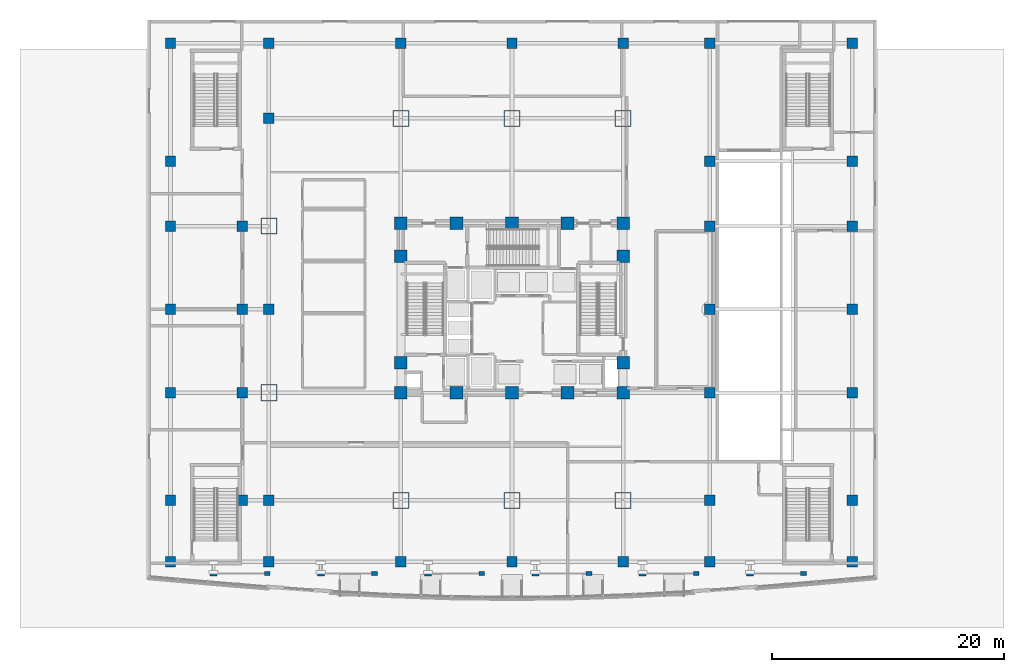
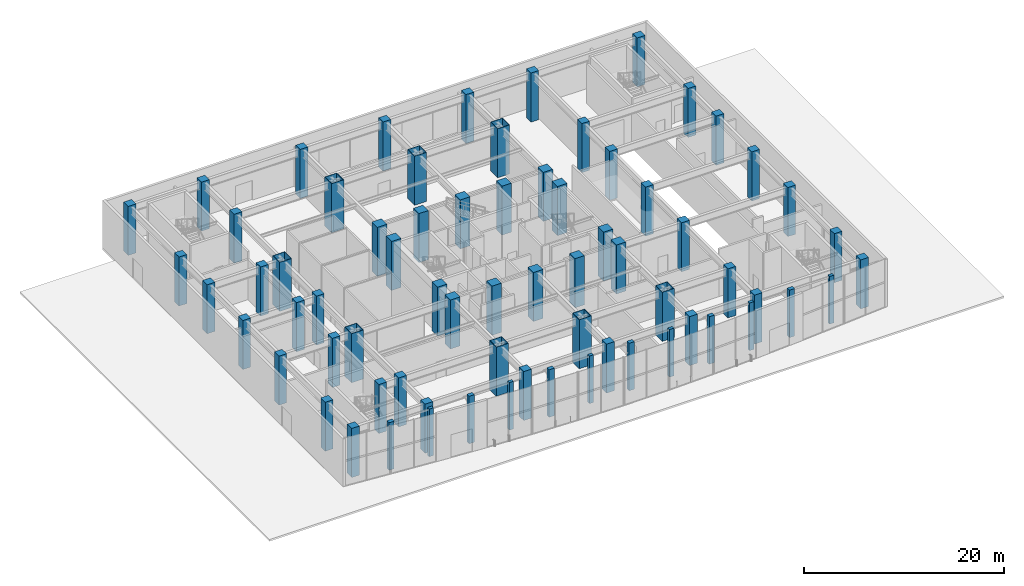
# One storey, part 1 of 23: 70 columns.
"""IFC4 building model written with IfcOpenShell, lengths in metres."""

from ifc_helpers import new_model, si_unit, direction, frame, origin, origin_2d, place, context, subcontext, project, spatial, rectangle, hollow_rectangle, extrude, material, material_profile, profile_set, type_object, element, save


model = new_model("IFC4")

# Units and contexts
model_context = context("Model", 3, precision=1e-05, world=origin(), true_north=direction((0.0, 1.0)))
body_context = subcontext(model_context, "Body", "Model", "MODEL_VIEW")
ifc_project = project(units=[si_unit("LENGTHUNIT", "METRE"), si_unit("AREAUNIT", "SQUARE_METRE"), si_unit("VOLUMEUNIT", "CUBIC_METRE"), si_unit("PLANEANGLEUNIT", "RADIAN"), si_unit("MASSUNIT", "GRAM", prefix="KILO")], contexts=[model_context])

# Site, building, storey
site_placement = place(None, origin())
site = spatial("IfcSite", under=ifc_project, at=site_placement, CompositionType="ELEMENT")
building_placement = place(site_placement, origin())
building = spatial("IfcBuilding", under=site, at=building_placement, Name="Vantalir Tower", CompositionType="ELEMENT")
storey_placement = place(building_placement, origin())
storey = spatial("IfcBuildingStorey", under=building, at=storey_placement, Name="L00", CompositionType="ELEMENT", Elevation=0.0)

# Columns
ifc_material_1 = material(Name="Concrete C60/75", Category="concrete")
ifc_material_profile_1 = material_profile(ifc_material_1, rectangle(XDim=1.10009765625, YDim=1.10009765625, at=origin_2d()), Name="Concrete C60/75")
ifc_profile_set_1 = profile_set([ifc_material_profile_1], Name="Concrete C60/75")
column_type_1 = type_object("IfcColumnType", Name="COL-CC-1100", PredefinedType="COLUMN", material=ifc_profile_set_1)
for number, where, z_axis, x_axis, name in (
    (1, (21.89990234375, 17.800048828125, 0.0), (0.0, 0.0, 1.0), (1.0, 0.0, 0.0), "L00 Core Column CC01"),
    (2, (26.699951171875, 17.800048828125, 0.0), (0.0, 0.0, 1.0), (1.0, 0.0, 0.0), "L00 Core Column CC02"),
    (3, (31.5, 17.800048828125, 0.0), (0.0, 0.0, 1.0), (1.0, 0.0, 0.0), "L00 Core Column CC03"),
    (4, (36.300048828125, 17.800048828125, 0.0), (0.0, 0.0, 1.0), (1.0, 0.0, 0.0), "L00 Core Column CC04"),
    (5, (41.10009765625, 17.800048828125, 0.0), (0.0, 0.0, 1.0), (1.0, 0.0, 0.0), "L00 Core Column CC05"),
    (6, (21.89990234375, 20.39990234375, 0.0), (0.0, 0.0, 1.0), (1.0, 0.0, 0.0), "L00 Core Column CC06"),
    (7, (21.89990234375, 29.60009765625, 0.0), (0.0, 0.0, 1.0), (1.0, 0.0, 0.0), "L00 Core Column CC07"),
    (8, (41.10009765625, 20.39990234375, 0.0), (0.0, 0.0, 1.0), (1.0, 0.0, 0.0), "L00 Core Column CC08"),
    (9, (41.10009765625, 29.60009765625, 0.0), (0.0, 0.0, 1.0), (1.0, 0.0, 0.0), "L00 Core Column CC09"),
    (10, (21.89990234375, 32.449951171875, 0.0), (0.0, 0.0, 1.0), (1.0, 0.0, 0.0), "L00 Core Column CC10"),
    (11, (26.699951171875, 32.449951171875, 0.0), (0.0, 0.0, 1.0), (1.0, 0.0, 0.0), "L00 Core Column CC11"),
    (12, (31.5, 32.449951171875, 0.0), (0.0, 0.0, 1.0), (1.0, 0.0, 0.0), "L00 Core Column CC12"),
    (13, (36.300048828125, 32.449951171875, 0.0), (0.0, 0.0, 1.0), (1.0, 0.0, 0.0), "L00 Core Column CC13"),
    (14, (41.10009765625, 32.449951171875, 0.0), (0.0, 0.0, 1.0), (1.0, 0.0, 0.0), "L00 Core Column CC14"),
):
    element("IfcColumn", number, at=place(storey_placement, frame(where, z_axis=z_axis, x_axis=x_axis)), inside=storey, type_object=column_type_1, Name=name, PredefinedType="COLUMN", context=body_context, shape_type="SweptSolid", body=[
        extrude(rectangle(XDim=1.10009765625, YDim=1.10009765625, at=origin_2d()), origin(), (0.0, 0.0, 1.0), 6.0),
    ])
ifc_material_2 = material(Name="Steel S460", Category="steel")
ifc_material_profile_2 = material_profile(ifc_material_2, hollow_rectangle(XDim=1.39990234375, YDim=1.39990234375, WallThickness=0.050048828125, at=origin_2d()), Name="Steel S460")
ifc_profile_set_2 = profile_set([ifc_material_profile_2], Name="Steel S460")
column_type_2 = type_object("IfcColumnType", Name="COL-MC-1400", PredefinedType="COLUMN", material=ifc_profile_set_2)
for number, where, z_axis, x_axis, name in (
    (15, (21.89990234375, 8.5, 0.0), (0.0, 0.0, 1.0), (1.0, 0.0, 0.0), "L00 S460 Mega-Column MC01"),
    (16, (31.5, 8.5, 0.0), (0.0, 0.0, 1.0), (1.0, 0.0, 0.0), "L00 S460 Mega-Column MC02"),
    (17, (41.10009765625, 8.5, 0.0), (0.0, 0.0, 1.0), (1.0, 0.0, 0.0), "L00 S460 Mega-Column MC03"),
    (18, (10.5, 17.800048828125, 0.0), (0.0, 0.0, 1.0), (1.0, 0.0, 0.0), "L00 S460 Mega-Column MC04"),
    (19, (10.5, 32.199951171875, 0.0), (0.0, 0.0, 1.0), (1.0, 0.0, 0.0), "L00 S460 Mega-Column MC05"),
    (20, (21.89990234375, 41.5, 0.0), (0.0, 0.0, 1.0), (1.0, 0.0, 0.0), "L00 S460 Mega-Column MC06"),
    (21, (31.5, 41.5, 0.0), (0.0, 0.0, 1.0), (1.0, 0.0, 0.0), "L00 S460 Mega-Column MC07"),
    (22, (41.10009765625, 41.5, 0.0), (0.0, 0.0, 1.0), (1.0, 0.0, 0.0), "L00 S460 Mega-Column MC08"),
):
    element("IfcColumn", number, at=place(storey_placement, frame(where, z_axis=z_axis, x_axis=x_axis)), inside=storey, type_object=column_type_2, Name=name, PredefinedType="COLUMN", context=body_context, shape_type="SweptSolid", body=[
        extrude(hollow_rectangle(XDim=1.39990234375, YDim=1.39990234375, WallThickness=0.050048828125, at=origin_2d()), origin(), (0.0, 0.0, 1.0), 6.0),
    ])
ifc_material_profile_3 = material_profile(ifc_material_1, rectangle(XDim=0.89990234375, YDim=0.89990234375, at=origin_2d()), Name="Concrete C60/75")
ifc_profile_set_3 = profile_set([ifc_material_profile_3], Name="Concrete C60/75")
column_type_3 = type_object("IfcColumnType", Name="COL-PC-900", PredefinedType="COLUMN", material=ifc_profile_set_3)
for number, where, z_axis, x_axis, name in (
    (23, (2.0, 3.199951171875, 0.0), (0.0, 0.0, 1.0), (1.0, 0.0, 0.0), "L00 Podium Column PC01"),
    (24, (8.199951171875, 8.5, 0.0), (0.0, 0.0, 1.0), (1.0, 0.0, 0.0), "L00 Podium Column PC02"),
    (25, (8.199951171875, 17.800048828125, 0.0), (0.0, 0.0, 1.0), (1.0, 0.0, 0.0), "L00 Podium Column PC03"),
    (26, (8.199951171875, 25.0, 0.0), (0.0, 0.0, 1.0), (1.0, 0.0, 0.0), "L00 Podium Column PC04"),
    (27, (8.199951171875, 32.199951171875, 0.0), (0.0, 0.0, 1.0), (1.0, 0.0, 0.0), "L00 Podium Column PC05"),
    (28, (2.0, 37.800048828125, 0.0), (0.0, 0.0, 1.0), (1.0, 0.0, 0.0), "L00 Podium Column PC06"),
    (29, (2.0, 48.0, 0.0), (0.0, 0.0, 1.0), (1.0, 0.0, 0.0), "L00 Podium Column PC07"),
    (30, (2.0, 8.5, 0.0), (0.0, 0.0, 1.0), (1.0, 0.0, 0.0), "L00 Podium Column PC08"),
    (31, (2.0, 17.800048828125, 0.0), (0.0, 0.0, 1.0), (1.0, 0.0, 0.0), "L00 Podium Column PC09"),
    (32, (2.0, 25.0, 0.0), (0.0, 0.0, 1.0), (1.0, 0.0, 0.0), "L00 Podium Column PC10"),
    (33, (2.0, 32.199951171875, 0.0), (0.0, 0.0, 1.0), (1.0, 0.0, 0.0), "L00 Podium Column PC11"),
    (34, (10.5, 3.199951171875, 0.0), (0.0, 0.0, 1.0), (1.0, 0.0, 0.0), "L00 Podium Column PC12"),
    (35, (10.5, 8.5, 0.0), (0.0, 0.0, 1.0), (1.0, 0.0, 0.0), "L00 Podium Column PC13"),
    (36, (10.5, 25.0, 0.0), (0.0, 0.0, 1.0), (1.0, 0.0, 0.0), "L00 Podium Column PC14"),
    (37, (10.5, 41.5, 0.0), (0.0, 0.0, 1.0), (1.0, 0.0, 0.0), "L00 Podium Column PC15"),
    (38, (10.5, 48.0, 0.0), (0.0, 0.0, 1.0), (1.0, 0.0, 0.0), "L00 Podium Column PC16"),
    (39, (21.89990234375, 3.199951171875, 0.0), (0.0, 0.0, 1.0), (1.0, 0.0, 0.0), "L00 Podium Column PC17"),
    (40, (31.5, 3.199951171875, 0.0), (0.0, 0.0, 1.0), (1.0, 0.0, 0.0), "L00 Podium Column PC18"),
    (41, (41.10009765625, 3.199951171875, 0.0), (0.0, 0.0, 1.0), (1.0, 0.0, 0.0), "L00 Podium Column PC19"),
    (42, (48.60009765625, 3.199951171875, 0.0), (0.0, 0.0, 1.0), (1.0, 0.0, 0.0), "L00 Podium Column PC20"),
    (43, (48.60009765625, 8.5, 0.0), (0.0, 0.0, 1.0), (1.0, 0.0, 0.0), "L00 Podium Column PC21"),
    (44, (21.89990234375, 48.0, 0.0), (0.0, 0.0, 1.0), (1.0, 0.0, 0.0), "L00 Podium Column PC22"),
    (45, (31.5, 48.0, 0.0), (0.0, 0.0, 1.0), (1.0, 0.0, 0.0), "L00 Podium Column PC23"),
    (46, (41.10009765625, 48.0, 0.0), (0.0, 0.0, 1.0), (1.0, 0.0, 0.0), "L00 Podium Column PC24"),
    (47, (48.60009765625, 48.0, 0.0), (0.0, 0.0, 1.0), (1.0, 0.0, 0.0), "L00 Podium Column PC25"),
    (48, (48.60009765625, 17.800048828125, 0.0), (0.0, 0.0, 1.0), (1.0, 0.0, 0.0), "L00 Podium Column PC26"),
    (49, (48.60009765625, 25.0, 0.0), (0.0, 0.0, 1.0), (1.0, 0.0, 0.0), "L00 Podium Column PC27"),
    (50, (48.60009765625, 32.199951171875, 0.0), (0.0, 0.0, 1.0), (1.0, 0.0, 0.0), "L00 Podium Column PC28"),
    (51, (48.60009765625, 37.800048828125, 0.0), (0.0, 0.0, 1.0), (1.0, 0.0, 0.0), "L00 Podium Column PC29"),
    (52, (60.89990234375, 3.199951171875, 0.0), (0.0, 0.0, 1.0), (1.0, 0.0, 0.0), "L00 Podium Column PC30"),
    (53, (60.89990234375, 8.5, 0.0), (0.0, 0.0, 1.0), (1.0, 0.0, 0.0), "L00 Podium Column PC31"),
    (54, (60.89990234375, 17.800048828125, 0.0), (0.0, 0.0, 1.0), (1.0, 0.0, 0.0), "L00 Podium Column PC32"),
    (55, (60.89990234375, 25.0, 0.0), (0.0, 0.0, 1.0), (1.0, 0.0, 0.0), "L00 Podium Column PC33"),
    (56, (60.89990234375, 32.199951171875, 0.0), (0.0, 0.0, 1.0), (1.0, 0.0, 0.0), "L00 Podium Column PC34"),
    (57, (60.89990234375, 37.800048828125, 0.0), (0.0, 0.0, 1.0), (1.0, 0.0, 0.0), "L00 Podium Column PC35"),
    (58, (60.89990234375, 48.0, 0.0), (0.0, 0.0, 1.0), (1.0, 0.0, 0.0), "L00 Podium Column PC36"),
):
    element("IfcColumn", number, at=place(storey_placement, frame(where, z_axis=z_axis, x_axis=x_axis)), inside=storey, type_object=column_type_3, Name=name, PredefinedType="COLUMN", context=body_context, shape_type="SweptSolid", body=[
        extrude(rectangle(XDim=0.89990234375, YDim=0.89990234375, at=origin_2d()), origin(), (0.0, 0.0, 1.0), 6.0),
    ])
ifc_material_3 = material(Name="Concrete C50/60", Category="concrete")
ifc_material_profile_4 = material_profile(ifc_material_3, rectangle(XDim=0.5, YDim=0.360107421875, at=origin_2d()), Name="Concrete C50/60")
ifc_profile_set_4 = profile_set([ifc_material_profile_4], Name="Concrete C50/60")
column_type_4 = type_object("IfcColumnType", Name="COL-PIL-500x360", PredefinedType="PILASTER", material=ifc_profile_set_4)
for number, where, z_axis, x_axis, name in (
    (59, (10.35009765625, 2.199951171875, 0.0), (0.0, 0.0, 1.0), (1.0, 0.0, 0.0), "L00 Waterfront Colonnade Pilaster 02"),
    (60, (19.616943359375, 2.199951171875, 0.0), (0.0, 0.0, 1.0), (1.0, 0.0, 0.0), "L00 Waterfront Colonnade Pilaster 04"),
    (61, (28.883056640625, 2.199951171875, 0.0), (0.0, 0.0, 1.0), (1.0, 0.0, 0.0), "L00 Waterfront Colonnade Pilaster 06"),
    (62, (38.14990234375, 2.199951171875, 0.0), (0.0, 0.0, 1.0), (1.0, 0.0, 0.0), "L00 Waterfront Colonnade Pilaster 08"),
    (63, (47.4169921875, 2.199951171875, 0.0), (0.0, 0.0, 1.0), (1.0, 0.0, 0.0), "L00 Waterfront Colonnade Pilaster 10"),
    (64, (56.68310546875, 2.199951171875, 0.0), (0.0, 0.0, 1.0), (1.0, 0.0, 0.0), "L00 Waterfront Colonnade Pilaster 12"),
):
    element("IfcColumn", number, at=place(storey_placement, frame(where, z_axis=z_axis, x_axis=x_axis)), inside=storey, type_object=column_type_4, Name=name, PredefinedType="PILASTER", context=body_context, shape_type="SweptSolid", body=[
        extrude(rectangle(XDim=0.5, YDim=0.360107421875, at=origin_2d()), origin(), (0.0, 0.0, 1.0), 5.820068359375),
    ])
ifc_material_profile_5 = material_profile(ifc_material_3, rectangle(XDim=0.60009765625, YDim=0.449951171875, at=origin_2d()), Name="Concrete C50/60")
ifc_profile_set_5 = profile_set([ifc_material_profile_5], Name="Concrete C50/60")
column_type_5 = type_object("IfcColumnType", Name="COL-PIL-600x450", PredefinedType="PILASTER", material=ifc_profile_set_5)
for number, where, z_axis, x_axis, name in (
    (65, (5.717041015625, 2.199951171875, 0.0), (0.0, 0.0, 1.0), (1.0, 0.0, 0.0), "L00 Waterfront Colonnade Pilaster 01"),
    (66, (14.98291015625, 2.199951171875, 0.0), (0.0, 0.0, 1.0), (1.0, 0.0, 0.0), "L00 Waterfront Colonnade Pilaster 03"),
    (67, (24.25, 2.199951171875, 0.0), (0.0, 0.0, 1.0), (1.0, 0.0, 0.0), "L00 Waterfront Colonnade Pilaster 05"),
    (68, (33.51708984375, 2.199951171875, 0.0), (0.0, 0.0, 1.0), (1.0, 0.0, 0.0), "L00 Waterfront Colonnade Pilaster 07"),
    (69, (42.782958984375, 2.199951171875, 0.0), (0.0, 0.0, 1.0), (1.0, 0.0, 0.0), "L00 Waterfront Colonnade Pilaster 09"),
    (70, (52.050048828125, 2.199951171875, 0.0), (0.0, 0.0, 1.0), (1.0, 0.0, 0.0), "L00 Waterfront Colonnade Pilaster 11"),
):
    element("IfcColumn", number, at=place(storey_placement, frame(where, z_axis=z_axis, x_axis=x_axis)), inside=storey, type_object=column_type_5, Name=name, PredefinedType="PILASTER", context=body_context, shape_type="SweptSolid", body=[
        extrude(rectangle(XDim=0.60009765625, YDim=0.449951171875, at=origin_2d()), origin(), (0.0, 0.0, 1.0), 5.820068359375),
    ])

save(model, "model.ifc")
